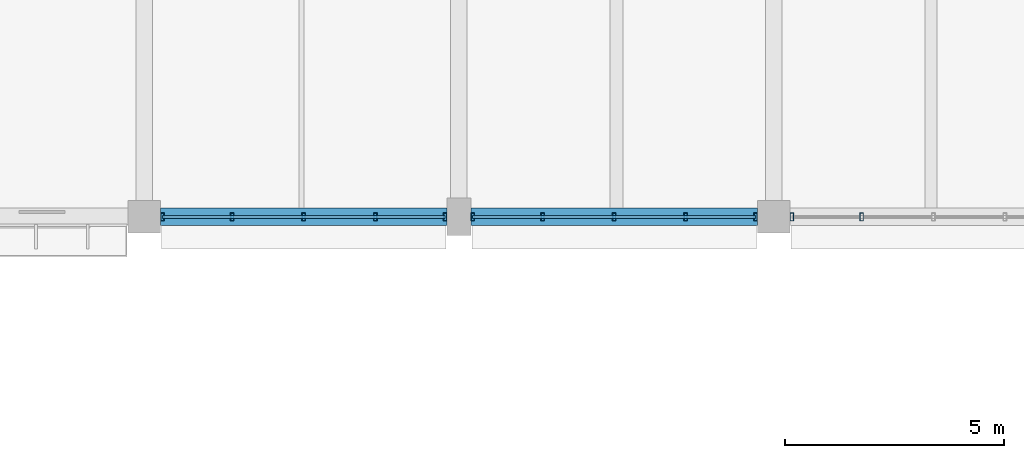
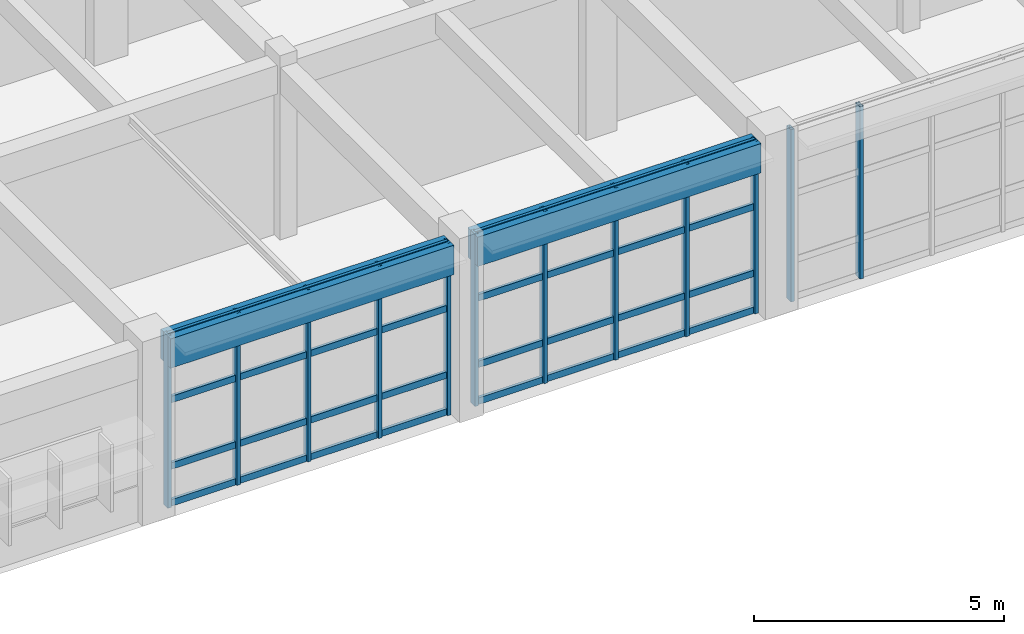
# One storey, part 76 of 171: 20 members, 2 beams, 3 elements without a shape of their own.
"""IFC4 building model written with IfcOpenShell, lengths in metres."""

from ifc_helpers import new_model, si_unit, direction, frame, origin, origin_2d, place, context, subcontext, project, spatial, rectangle, hollow_rectangle, extrude, material, material_profile, profile_set, type_object, element, aggregate, save


model = new_model("IFC4")

# Units and contexts
model_context = context("Model", 3, precision=1e-05, world=origin(), true_north=direction((0.0, 1.0)))
body_context = subcontext(model_context, "Body", "Model", "MODEL_VIEW")
ifc_project = project(units=[si_unit("LENGTHUNIT", "METRE"), si_unit("AREAUNIT", "SQUARE_METRE"), si_unit("VOLUMEUNIT", "CUBIC_METRE"), si_unit("PLANEANGLEUNIT", "RADIAN"), si_unit("MASSUNIT", "GRAM", prefix="KILO")], contexts=[model_context])

# Site, building, storey
site_placement = place(None, origin())
site = spatial("IfcSite", under=ifc_project, at=site_placement, CompositionType="ELEMENT")
building_placement = place(site_placement, origin())
building = spatial("IfcBuilding", under=site, at=building_placement, Name="Thalmaran Polytechnic", CompositionType="ELEMENT")
storey_placement = place(building_placement, frame((0.0, 0.0, 5.39990234375)))
storey = spatial("IfcBuildingStorey", under=building, at=storey_placement, Name="L01", CompositionType="ELEMENT", Elevation=5.39990234375)

# Beams
ifc_material_1 = material(Name="Concrete C40/50", Category="concrete")
ifc_material_profile_1 = material_profile(ifc_material_1, rectangle(XDim=0.39990234375, YDim=0.719970703125, at=origin_2d()), Name="RC 400x720")
ifc_profile_set_1 = profile_set([ifc_material_profile_1], Name="Concrete C40/50")
beam_type = type_object("IfcBeamType", Name="BM-SP01", PredefinedType="SPANDREL", material=ifc_profile_set_1)
for number, where, z_axis, x_axis, name in (
    (1, (101.175048828125, 93.60009765625, 3.85009765625), (1.0, 0.0, 0.0), (0.0, 1.0, 0.0), "Grid Beam SP01 L01 X(14,13)"),
    (2, (108.27490234375, 93.60009765625, 3.85009765625), (1.0, 0.0, 0.0), (0.0, 1.0, 0.0), "Grid Beam SP01 L01 X(15,13)"),
):
    element("IfcBeam", number, at=place(storey_placement, frame(where, z_axis=z_axis, x_axis=x_axis)), inside=storey, type_object=beam_type, Name=name, PredefinedType="SPANDREL", context=body_context, shape_type="SweptSolid", body=[
        extrude(rectangle(XDim=0.39990234375, YDim=0.719970703125, at=origin_2d()), origin(), (0.0, 0.0, 1.0), 6.550048828125),
    ])

# Curtain wall, members
ifc_material_2 = material(Name="Aluminium 6063-T6", Category="aluminium")
curtain_wall_type = type_object("IfcCurtainWallType", Name="CW-UC02", PredefinedType="USERDEFINED", material=ifc_material_2)
curtain_wall_1_placement = place(storey_placement, origin())
curtain_wall_1 = element("IfcCurtainWall", 3, at=curtain_wall_1_placement, inside=storey, type_object=curtain_wall_type, Name="Curtain Wall CW-L01-186", ObjectType="UNITISED CURTAIN WALL", PredefinedType="USERDEFINED")
ifc_material_profile_2 = material_profile(ifc_material_2, hollow_rectangle(XDim=0.080078125, YDim=0.179931640625, WallThickness=0.0048828125, at=origin_2d()), Name="RHS 180x80x5.0")
ifc_profile_set_2 = profile_set([ifc_material_profile_2], Name="Aluminium 6063-T6")
member_type_1 = type_object("IfcMemberType", Name="CW-MUL1", PredefinedType="MULLION", material=ifc_profile_set_2)
member_1_placement = place(storey_placement, frame((117.21240234375, 93.60009765625, 0.0), z_axis=(0.0, 0.0, 1.0), x_axis=(1.0, 0.0, 0.0)))
member_1 = element("IfcMember", 4, at=member_1_placement, type_object=member_type_1, Name="CW-L01-186 Mullion 4", PredefinedType="MULLION", context=body_context, shape_type="SweptSolid", body=[
    extrude(hollow_rectangle(XDim=0.080078125, YDim=0.179931640625, WallThickness=0.0048828125, at=origin_2d()), origin(), (0.0, 0.0, 1.0), 4.210205078125),
])
member_2_placement = place(storey_placement, frame((115.614990234375, 93.60009765625, 0.0), z_axis=(0.0, 0.0, 1.0), x_axis=(1.0, 0.0, 0.0)))
member_2 = element("IfcMember", 5, at=member_2_placement, type_object=member_type_1, Name="CW-L01-186 Mullion 5", PredefinedType="MULLION", context=body_context, shape_type="SweptSolid", body=[
    extrude(hollow_rectangle(XDim=0.080078125, YDim=0.179931640625, WallThickness=0.0048828125, at=origin_2d()), origin(), (0.0, 0.0, 1.0), 4.210205078125),
])
aggregate(curtain_wall_1, [member_1, member_2])

curtain_wall_2_placement = place(storey_placement, origin())
curtain_wall_2 = element("IfcCurtainWall", 6, at=curtain_wall_2_placement, inside=storey, type_object=curtain_wall_type, Name="Curtain Wall CW-L01-187", ObjectType="UNITISED CURTAIN WALL", PredefinedType="USERDEFINED")
member_3_placement = place(storey_placement, frame((114.784912109375, 93.60009765625, 0.0), z_axis=(0.0, 0.0, 1.0), x_axis=(1.0, 0.0, 0.0)))
member_3 = element("IfcMember", 7, at=member_3_placement, type_object=member_type_1, Name="CW-L01-187 Mullion 1", PredefinedType="MULLION", context=body_context, shape_type="SweptSolid", body=[
    extrude(hollow_rectangle(XDim=0.080078125, YDim=0.179931640625, WallThickness=0.0048828125, at=origin_2d()), origin(), (0.0, 0.0, 1.0), 4.210205078125),
])
member_4_placement = place(storey_placement, frame((113.1875, 93.60009765625, 0.0), z_axis=(0.0, 0.0, 1.0), x_axis=(1.0, 0.0, 0.0)))
member_4 = element("IfcMember", 8, at=member_4_placement, type_object=member_type_1, Name="CW-L01-187 Mullion 2", PredefinedType="MULLION", context=body_context, shape_type="SweptSolid", body=[
    extrude(hollow_rectangle(XDim=0.080078125, YDim=0.179931640625, WallThickness=0.0048828125, at=origin_2d()), origin(), (0.0, 0.0, 1.0), 4.210205078125),
])
member_5_placement = place(storey_placement, frame((111.550048828125, 93.60009765625, 0.0), z_axis=(0.0, 0.0, 1.0), x_axis=(1.0, 0.0, 0.0)))
member_5 = element("IfcMember", 9, at=member_5_placement, type_object=member_type_1, Name="CW-L01-187 Mullion 3", PredefinedType="MULLION", context=body_context, shape_type="SweptSolid", body=[
    extrude(hollow_rectangle(XDim=0.080078125, YDim=0.179931640625, WallThickness=0.0048828125, at=origin_2d()), origin(), (0.0, 0.0, 1.0), 4.210205078125),
])
member_6_placement = place(storey_placement, frame((109.91259765625, 93.60009765625, 0.0), z_axis=(0.0, 0.0, 1.0), x_axis=(1.0, 0.0, 0.0)))
member_6 = element("IfcMember", 10, at=member_6_placement, type_object=member_type_1, Name="CW-L01-187 Mullion 4", PredefinedType="MULLION", context=body_context, shape_type="SweptSolid", body=[
    extrude(hollow_rectangle(XDim=0.080078125, YDim=0.179931640625, WallThickness=0.0048828125, at=origin_2d()), origin(), (0.0, 0.0, 1.0), 4.210205078125),
])
member_7_placement = place(storey_placement, frame((108.31494140625, 93.60009765625, 0.0), z_axis=(0.0, 0.0, 1.0), x_axis=(1.0, 0.0, 0.0)))
member_7 = element("IfcMember", 11, at=member_7_placement, type_object=member_type_1, Name="CW-L01-187 Mullion 5", PredefinedType="MULLION", context=body_context, shape_type="SweptSolid", body=[
    extrude(hollow_rectangle(XDim=0.080078125, YDim=0.179931640625, WallThickness=0.0048828125, at=origin_2d()), origin(), (0.0, 0.0, 1.0), 4.210205078125),
])

curtain_wall_3_placement = place(storey_placement, origin())
curtain_wall_3 = element("IfcCurtainWall", 12, at=curtain_wall_3_placement, inside=storey, type_object=curtain_wall_type, Name="Curtain Wall CW-L01-188", ObjectType="UNITISED CURTAIN WALL", PredefinedType="USERDEFINED")
member_8_placement = place(storey_placement, frame((107.68505859375, 93.60009765625, 0.0), z_axis=(0.0, 0.0, 1.0), x_axis=(1.0, 0.0, 0.0)))
member_8 = element("IfcMember", 13, at=member_8_placement, type_object=member_type_1, Name="CW-L01-188 Mullion 1", PredefinedType="MULLION", context=body_context, shape_type="SweptSolid", body=[
    extrude(hollow_rectangle(XDim=0.080078125, YDim=0.179931640625, WallThickness=0.0048828125, at=origin_2d()), origin(), (0.0, 0.0, 1.0), 4.210205078125),
])
member_9_placement = place(storey_placement, frame((106.08740234375, 93.60009765625, 0.0), z_axis=(0.0, 0.0, 1.0), x_axis=(1.0, 0.0, 0.0)))
member_9 = element("IfcMember", 14, at=member_9_placement, type_object=member_type_1, Name="CW-L01-188 Mullion 2", PredefinedType="MULLION", context=body_context, shape_type="SweptSolid", body=[
    extrude(hollow_rectangle(XDim=0.080078125, YDim=0.179931640625, WallThickness=0.0048828125, at=origin_2d()), origin(), (0.0, 0.0, 1.0), 4.210205078125),
])
member_10_placement = place(storey_placement, frame((104.449951171875, 93.60009765625, 0.0), z_axis=(0.0, 0.0, 1.0), x_axis=(1.0, 0.0, 0.0)))
member_10 = element("IfcMember", 15, at=member_10_placement, type_object=member_type_1, Name="CW-L01-188 Mullion 3", PredefinedType="MULLION", context=body_context, shape_type="SweptSolid", body=[
    extrude(hollow_rectangle(XDim=0.080078125, YDim=0.179931640625, WallThickness=0.0048828125, at=origin_2d()), origin(), (0.0, 0.0, 1.0), 4.210205078125),
])
member_11_placement = place(storey_placement, frame((102.8125, 93.60009765625, 0.0), z_axis=(0.0, 0.0, 1.0), x_axis=(1.0, 0.0, 0.0)))
member_11 = element("IfcMember", 16, at=member_11_placement, type_object=member_type_1, Name="CW-L01-188 Mullion 4", PredefinedType="MULLION", context=body_context, shape_type="SweptSolid", body=[
    extrude(hollow_rectangle(XDim=0.080078125, YDim=0.179931640625, WallThickness=0.0048828125, at=origin_2d()), origin(), (0.0, 0.0, 1.0), 4.210205078125),
])
member_12_placement = place(storey_placement, frame((101.215087890625, 93.60009765625, 0.0), z_axis=(0.0, 0.0, 1.0), x_axis=(1.0, 0.0, 0.0)))
member_12 = element("IfcMember", 17, at=member_12_placement, type_object=member_type_1, Name="CW-L01-188 Mullion 5", PredefinedType="MULLION", context=body_context, shape_type="SweptSolid", body=[
    extrude(hollow_rectangle(XDim=0.080078125, YDim=0.179931640625, WallThickness=0.0048828125, at=origin_2d()), origin(), (0.0, 0.0, 1.0), 4.210205078125),
])

# Member
ifc_material_profile_3 = material_profile(ifc_material_2, hollow_rectangle(XDim=0.070068359375, YDim=0.159912109375, WallThickness=0.00390625, at=origin_2d()), Name="AL 160x70x4.0")
ifc_profile_set_3 = profile_set([ifc_material_profile_3], Name="Aluminium 6063-T6")
member_type_2 = type_object("IfcMemberType", Name="CW-TRN1", PredefinedType="USERDEFINED", material=ifc_profile_set_3)
member_13_placement = place(storey_placement, frame((114.784912109375, 93.60009765625, 0.06005859375), z_axis=(-1.0, 0.0, 0.0), x_axis=(0.0, -1.0, 0.0)))
member_13 = element("IfcMember", 18, at=member_13_placement, type_object=member_type_2, Name="CW-L01-187 Transom 1", ObjectType="TRANSOM", PredefinedType="USERDEFINED", context=body_context, shape_type="SweptSolid", body=[
    extrude(hollow_rectangle(XDim=0.070068359375, YDim=0.159912109375, WallThickness=0.00390625, at=origin_2d()), origin(), (0.0, 0.0, 1.0), 6.469970703125),
])

member_14_placement = place(storey_placement, frame((114.784912109375, 93.60009765625, 0.960205078125), z_axis=(-1.0, 0.0, 0.0), x_axis=(0.0, -1.0, 0.0)))
member_14 = element("IfcMember", 19, at=member_14_placement, type_object=member_type_2, Name="CW-L01-187 Transom 2", ObjectType="TRANSOM", PredefinedType="USERDEFINED", context=body_context, shape_type="SweptSolid", body=[
    extrude(hollow_rectangle(XDim=0.070068359375, YDim=0.159912109375, WallThickness=0.00390625, at=origin_2d()), origin(), (0.0, 0.0, 1.0), 6.469970703125),
])

member_15_placement = place(storey_placement, frame((114.784912109375, 93.60009765625, 2.585205078125), z_axis=(-1.0, 0.0, 0.0), x_axis=(0.0, -1.0, 0.0)))
member_15 = element("IfcMember", 20, at=member_15_placement, type_object=member_type_2, Name="CW-L01-187 Transom 3", ObjectType="TRANSOM", PredefinedType="USERDEFINED", context=body_context, shape_type="SweptSolid", body=[
    extrude(hollow_rectangle(XDim=0.070068359375, YDim=0.159912109375, WallThickness=0.00390625, at=origin_2d()), origin(), (0.0, 0.0, 1.0), 6.469970703125),
])

member_16_placement = place(storey_placement, frame((114.784912109375, 93.60009765625, 4.150146484375), z_axis=(-1.0, 0.0, 0.0), x_axis=(0.0, -1.0, 0.0)))
member_16 = element("IfcMember", 21, at=member_16_placement, type_object=member_type_2, Name="CW-L01-187 Transom 4", ObjectType="TRANSOM", PredefinedType="USERDEFINED", context=body_context, shape_type="SweptSolid", body=[
    extrude(hollow_rectangle(XDim=0.070068359375, YDim=0.159912109375, WallThickness=0.00390625, at=origin_2d()), origin(), (0.0, 0.0, 1.0), 6.469970703125),
])

aggregate(curtain_wall_2, [member_3, member_4, member_5, member_6, member_7, member_13, member_14, member_15, member_16])

member_17_placement = place(storey_placement, frame((107.68505859375, 93.60009765625, 0.06005859375), z_axis=(-1.0, 0.0, 0.0), x_axis=(0.0, -1.0, 0.0)))
member_17 = element("IfcMember", 22, at=member_17_placement, type_object=member_type_2, Name="CW-L01-188 Transom 1", ObjectType="TRANSOM", PredefinedType="USERDEFINED", context=body_context, shape_type="SweptSolid", body=[
    extrude(hollow_rectangle(XDim=0.070068359375, YDim=0.159912109375, WallThickness=0.00390625, at=origin_2d()), origin(), (0.0, 0.0, 1.0), 6.469970703125),
])

member_18_placement = place(storey_placement, frame((107.68505859375, 93.60009765625, 0.960205078125), z_axis=(-1.0, 0.0, 0.0), x_axis=(0.0, -1.0, 0.0)))
member_18 = element("IfcMember", 23, at=member_18_placement, type_object=member_type_2, Name="CW-L01-188 Transom 2", ObjectType="TRANSOM", PredefinedType="USERDEFINED", context=body_context, shape_type="SweptSolid", body=[
    extrude(hollow_rectangle(XDim=0.070068359375, YDim=0.159912109375, WallThickness=0.00390625, at=origin_2d()), origin(), (0.0, 0.0, 1.0), 6.469970703125),
])

member_19_placement = place(storey_placement, frame((107.68505859375, 93.60009765625, 2.585205078125), z_axis=(-1.0, 0.0, 0.0), x_axis=(0.0, -1.0, 0.0)))
member_19 = element("IfcMember", 24, at=member_19_placement, type_object=member_type_2, Name="CW-L01-188 Transom 3", ObjectType="TRANSOM", PredefinedType="USERDEFINED", context=body_context, shape_type="SweptSolid", body=[
    extrude(hollow_rectangle(XDim=0.070068359375, YDim=0.159912109375, WallThickness=0.00390625, at=origin_2d()), origin(), (0.0, 0.0, 1.0), 6.469970703125),
])

member_20_placement = place(storey_placement, frame((107.68505859375, 93.60009765625, 4.150146484375), z_axis=(-1.0, 0.0, 0.0), x_axis=(0.0, -1.0, 0.0)))
member_20 = element("IfcMember", 25, at=member_20_placement, type_object=member_type_2, Name="CW-L01-188 Transom 4", ObjectType="TRANSOM", PredefinedType="USERDEFINED", context=body_context, shape_type="SweptSolid", body=[
    extrude(hollow_rectangle(XDim=0.070068359375, YDim=0.159912109375, WallThickness=0.00390625, at=origin_2d()), origin(), (0.0, 0.0, 1.0), 6.469970703125),
])

aggregate(curtain_wall_3, [member_8, member_9, member_10, member_11, member_12, member_17, member_18, member_19, member_20])

save(model, "model.ifc")
